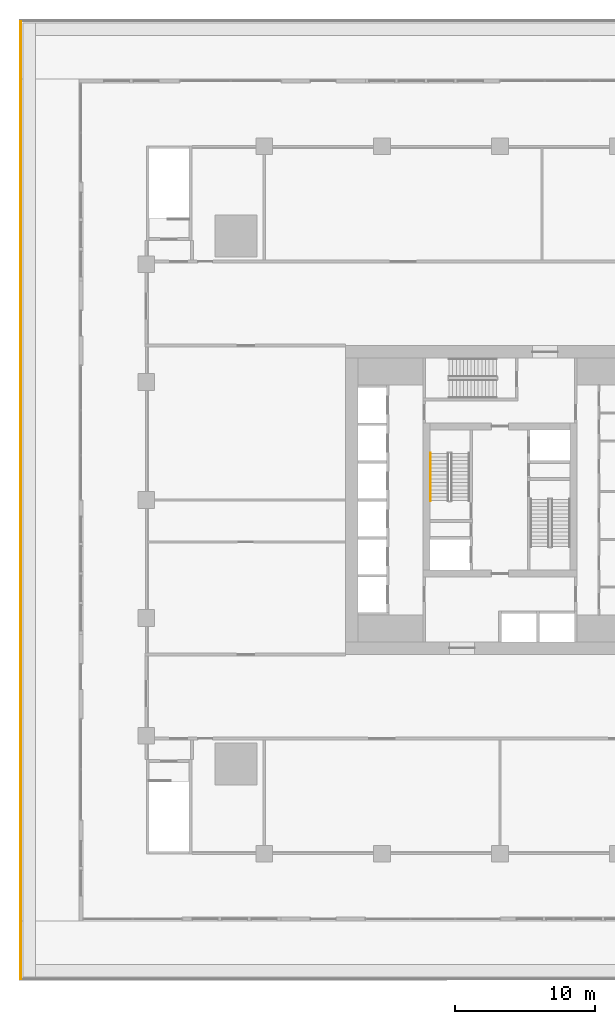
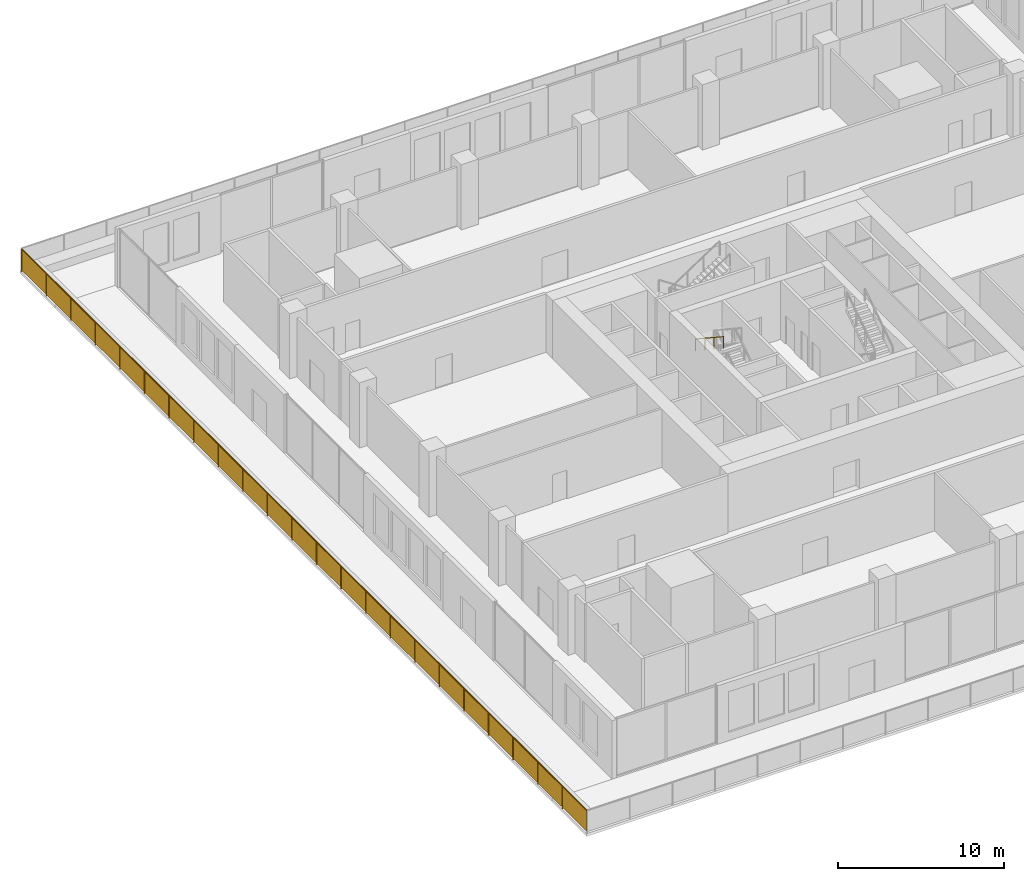
# One storey, part 20 of 22: 2 railings.
"""IFC4 building model written with IfcOpenShell, lengths in metres."""

from ifc_helpers import new_model, si_unit, direction, frame, origin, origin_2d, place, context, subcontext, project, spatial, rectangle, extrude, material, type_object, element, save


model = new_model("IFC4")

# Units and contexts
model_context = context("Model", 3, precision=1e-05, world=origin(), true_north=direction((0.0, 1.0)))
body_context = subcontext(model_context, "Body", "Model", "MODEL_VIEW")
ifc_project = project(units=[si_unit("LENGTHUNIT", "METRE"), si_unit("AREAUNIT", "SQUARE_METRE"), si_unit("VOLUMEUNIT", "CUBIC_METRE"), si_unit("PLANEANGLEUNIT", "RADIAN"), si_unit("MASSUNIT", "GRAM", prefix="KILO")], contexts=[model_context])

# Site, building, storey
site_placement = place(None, origin())
site = spatial("IfcSite", under=ifc_project, at=site_placement, CompositionType="ELEMENT")
building_placement = place(site_placement, origin())
building = spatial("IfcBuilding", under=site, at=building_placement, Name="Khepri Terraces", CompositionType="ELEMENT")
storey_placement = place(building_placement, frame((0.0, 0.0, 22.199951171875)))
storey = spatial("IfcBuildingStorey", under=building, at=storey_placement, Name="L04", CompositionType="ELEMENT", Elevation=22.199951171875)

# Railings
ifc_material_1 = material(Name="Stainless steel grade 316", Category="steel")
railing_type_1 = type_object("IfcRailingType", Name="GRD-TERR-1700", PredefinedType="GUARDRAIL", material=ifc_material_1)
railing_1_placement = place(storey_placement, frame((-34.14990234375, -34.14990234375, 0.0)))
element("IfcRailing", 1, at=railing_1_placement, inside=storey, type_object=railing_type_1, Name="Terrace guard L04", PredefinedType="GUARDRAIL", context=body_context, shape_type="SweptSolid", body=[
    extrude(rectangle(XDim=0.050048828125, YDim=0.06005859375, at=origin_2d()), frame((0.0, 0.0, 1.669921875), z_axis=(0.0, 1.0, 0.0), x_axis=(-1.0, 0.0, 0.0)), (0.0, 0.0, 1.0), 68.219970703125),
    extrude(rectangle(XDim=2.916015625, YDim=0.011962890625, at=origin_2d()), frame((0.0, 1.483154296875, 0.10009765625), z_axis=(0.0, 0.0, 1.0), x_axis=(0.0, 1.0, 0.0)), (0.0, 0.0, 1.0), 1.539794921875),
    extrude(rectangle(XDim=2.916015625, YDim=0.011962890625, at=origin_2d()), frame((0.0, 4.44921875, 0.10009765625), z_axis=(0.0, 0.0, 1.0), x_axis=(0.0, 1.0, 0.0)), (0.0, 0.0, 1.0), 1.539794921875),
    extrude(rectangle(XDim=2.916015625, YDim=0.011962890625, at=origin_2d()), frame((0.0, 7.415283203125, 0.10009765625), z_axis=(0.0, 0.0, 1.0), x_axis=(0.0, 1.0, 0.0)), (0.0, 0.0, 1.0), 1.539794921875),
    extrude(rectangle(XDim=2.916015625, YDim=0.011962890625, at=origin_2d()), frame((0.0, 10.38134765625, 0.10009765625), z_axis=(0.0, 0.0, 1.0), x_axis=(0.0, 1.0, 0.0)), (0.0, 0.0, 1.0), 1.539794921875),
    extrude(rectangle(XDim=2.916015625, YDim=0.011962890625, at=origin_2d()), frame((0.0, 13.347412109375, 0.10009765625), z_axis=(0.0, 0.0, 1.0), x_axis=(0.0, 1.0, 0.0)), (0.0, 0.0, 1.0), 1.539794921875),
    extrude(rectangle(XDim=2.916015625, YDim=0.011962890625, at=origin_2d()), frame((0.0, 16.3134765625, 0.10009765625), z_axis=(0.0, 0.0, 1.0), x_axis=(0.0, 1.0, 0.0)), (0.0, 0.0, 1.0), 1.539794921875),
    extrude(rectangle(XDim=2.916015625, YDim=0.011962890625, at=origin_2d()), frame((0.0, 19.279541015625, 0.10009765625), z_axis=(0.0, 0.0, 1.0), x_axis=(0.0, 1.0, 0.0)), (0.0, 0.0, 1.0), 1.539794921875),
    extrude(rectangle(XDim=2.916015625, YDim=0.011962890625, at=origin_2d()), frame((0.0, 22.24560546875, 0.10009765625), z_axis=(0.0, 0.0, 1.0), x_axis=(0.0, 1.0, 0.0)), (0.0, 0.0, 1.0), 1.539794921875),
    extrude(rectangle(XDim=2.916015625, YDim=0.011962890625, at=origin_2d()), frame((0.0, 25.211669921875, 0.10009765625), z_axis=(0.0, 0.0, 1.0), x_axis=(0.0, 1.0, 0.0)), (0.0, 0.0, 1.0), 1.539794921875),
    extrude(rectangle(XDim=2.916015625, YDim=0.011962890625, at=origin_2d()), frame((0.0, 28.177734375, 0.10009765625), z_axis=(0.0, 0.0, 1.0), x_axis=(0.0, 1.0, 0.0)), (0.0, 0.0, 1.0), 1.539794921875),
    extrude(rectangle(XDim=2.916015625, YDim=0.011962890625, at=origin_2d()), frame((0.0, 31.143798828125, 0.10009765625), z_axis=(0.0, 0.0, 1.0), x_axis=(0.0, 1.0, 0.0)), (0.0, 0.0, 1.0), 1.539794921875),
    extrude(rectangle(XDim=2.916015625, YDim=0.011962890625, at=origin_2d()), frame((0.0, 34.10986328125, 0.10009765625), z_axis=(0.0, 0.0, 1.0), x_axis=(0.0, 1.0, 0.0)), (0.0, 0.0, 1.0), 1.539794921875),
    extrude(rectangle(XDim=2.916015625, YDim=0.011962890625, at=origin_2d()), frame((0.0, 37.076171875, 0.10009765625), z_axis=(0.0, 0.0, 1.0), x_axis=(0.0, 1.0, 0.0)), (0.0, 0.0, 1.0), 1.539794921875),
    extrude(rectangle(XDim=2.916015625, YDim=0.011962890625, at=origin_2d()), frame((0.0, 40.042236328125, 0.10009765625), z_axis=(0.0, 0.0, 1.0), x_axis=(0.0, 1.0, 0.0)), (0.0, 0.0, 1.0), 1.539794921875),
    extrude(rectangle(XDim=2.916015625, YDim=0.011962890625, at=origin_2d()), frame((0.0, 43.00830078125, 0.10009765625), z_axis=(0.0, 0.0, 1.0), x_axis=(0.0, 1.0, 0.0)), (0.0, 0.0, 1.0), 1.539794921875),
    extrude(rectangle(XDim=2.916015625, YDim=0.011962890625, at=origin_2d()), frame((0.0, 45.974365234375, 0.10009765625), z_axis=(0.0, 0.0, 1.0), x_axis=(0.0, 1.0, 0.0)), (0.0, 0.0, 1.0), 1.539794921875),
    extrude(rectangle(XDim=2.916015625, YDim=0.011962890625, at=origin_2d()), frame((0.0, 48.9404296875, 0.10009765625), z_axis=(0.0, 0.0, 1.0), x_axis=(0.0, 1.0, 0.0)), (0.0, 0.0, 1.0), 1.539794921875),
    extrude(rectangle(XDim=2.916015625, YDim=0.011962890625, at=origin_2d()), frame((0.0, 51.906494140625, 0.10009765625), z_axis=(0.0, 0.0, 1.0), x_axis=(0.0, 1.0, 0.0)), (0.0, 0.0, 1.0), 1.539794921875),
    extrude(rectangle(XDim=2.916015625, YDim=0.011962890625, at=origin_2d()), frame((0.0, 54.87255859375, 0.10009765625), z_axis=(0.0, 0.0, 1.0), x_axis=(0.0, 1.0, 0.0)), (0.0, 0.0, 1.0), 1.539794921875),
    extrude(rectangle(XDim=2.916015625, YDim=0.011962890625, at=origin_2d()), frame((0.0, 57.838623046875, 0.10009765625), z_axis=(0.0, 0.0, 1.0), x_axis=(0.0, 1.0, 0.0)), (0.0, 0.0, 1.0), 1.539794921875),
    extrude(rectangle(XDim=2.916015625, YDim=0.011962890625, at=origin_2d()), frame((0.0, 60.8046875, 0.10009765625), z_axis=(0.0, 0.0, 1.0), x_axis=(0.0, 1.0, 0.0)), (0.0, 0.0, 1.0), 1.539794921875),
    extrude(rectangle(XDim=2.916015625, YDim=0.011962890625, at=origin_2d()), frame((0.0, 63.770751953125, 0.10009765625), z_axis=(0.0, 0.0, 1.0), x_axis=(0.0, 1.0, 0.0)), (0.0, 0.0, 1.0), 1.539794921875),
    extrude(rectangle(XDim=2.916015625, YDim=0.011962890625, at=origin_2d()), frame((0.0, 66.73681640625, 0.10009765625), z_axis=(0.0, 0.0, 1.0), x_axis=(0.0, 1.0, 0.0)), (0.0, 0.0, 1.0), 1.539794921875),
    extrude(rectangle(XDim=0.050048828125, YDim=0.050048828125, at=origin_2d()), frame((0.0, 2.966064453125, 0.0)), (0.0, 0.0, 1.0), 1.639892578125),
    extrude(rectangle(XDim=0.050048828125, YDim=0.050048828125, at=origin_2d()), frame((0.0, 5.93212890625, 0.0)), (0.0, 0.0, 1.0), 1.639892578125),
    extrude(rectangle(XDim=0.050048828125, YDim=0.050048828125, at=origin_2d()), frame((0.0, 8.898193359375, 0.0)), (0.0, 0.0, 1.0), 1.639892578125),
    extrude(rectangle(XDim=0.050048828125, YDim=0.050048828125, at=origin_2d()), frame((0.0, 11.8642578125, 0.0)), (0.0, 0.0, 1.0), 1.639892578125),
    extrude(rectangle(XDim=0.050048828125, YDim=0.050048828125, at=origin_2d()), frame((0.0, 14.830322265625, 0.0)), (0.0, 0.0, 1.0), 1.639892578125),
    extrude(rectangle(XDim=0.050048828125, YDim=0.050048828125, at=origin_2d()), frame((0.0, 17.796630859375, 0.0)), (0.0, 0.0, 1.0), 1.639892578125),
    extrude(rectangle(XDim=0.050048828125, YDim=0.050048828125, at=origin_2d()), frame((0.0, 20.7626953125, 0.0)), (0.0, 0.0, 1.0), 1.639892578125),
    extrude(rectangle(XDim=0.050048828125, YDim=0.050048828125, at=origin_2d()), frame((0.0, 23.728759765625, 0.0)), (0.0, 0.0, 1.0), 1.639892578125),
    extrude(rectangle(XDim=0.050048828125, YDim=0.050048828125, at=origin_2d()), frame((0.0, 26.69482421875, 0.0)), (0.0, 0.0, 1.0), 1.639892578125),
    extrude(rectangle(XDim=0.050048828125, YDim=0.050048828125, at=origin_2d()), frame((0.0, 29.660888671875, 0.0)), (0.0, 0.0, 1.0), 1.639892578125),
    extrude(rectangle(XDim=0.050048828125, YDim=0.050048828125, at=origin_2d()), frame((0.0, 32.626953125, 0.0)), (0.0, 0.0, 1.0), 1.639892578125),
    extrude(rectangle(XDim=0.050048828125, YDim=0.050048828125, at=origin_2d()), frame((0.0, 35.593017578125, 0.0)), (0.0, 0.0, 1.0), 1.639892578125),
    extrude(rectangle(XDim=0.050048828125, YDim=0.050048828125, at=origin_2d()), frame((0.0, 38.55908203125, 0.0)), (0.0, 0.0, 1.0), 1.639892578125),
    extrude(rectangle(XDim=0.050048828125, YDim=0.050048828125, at=origin_2d()), frame((0.0, 41.525146484375, 0.0)), (0.0, 0.0, 1.0), 1.639892578125),
    extrude(rectangle(XDim=0.050048828125, YDim=0.050048828125, at=origin_2d()), frame((0.0, 44.4912109375, 0.0)), (0.0, 0.0, 1.0), 1.639892578125),
    extrude(rectangle(XDim=0.050048828125, YDim=0.050048828125, at=origin_2d()), frame((0.0, 47.457275390625, 0.0)), (0.0, 0.0, 1.0), 1.639892578125),
    extrude(rectangle(XDim=0.050048828125, YDim=0.050048828125, at=origin_2d()), frame((0.0, 50.42333984375, 0.0)), (0.0, 0.0, 1.0), 1.639892578125),
    extrude(rectangle(XDim=0.050048828125, YDim=0.050048828125, at=origin_2d()), frame((0.0, 53.3896484375, 0.0)), (0.0, 0.0, 1.0), 1.639892578125),
    extrude(rectangle(XDim=0.050048828125, YDim=0.050048828125, at=origin_2d()), frame((0.0, 56.355712890625, 0.0)), (0.0, 0.0, 1.0), 1.639892578125),
    extrude(rectangle(XDim=0.050048828125, YDim=0.050048828125, at=origin_2d()), frame((0.0, 59.32177734375, 0.0)), (0.0, 0.0, 1.0), 1.639892578125),
    extrude(rectangle(XDim=0.050048828125, YDim=0.050048828125, at=origin_2d()), frame((0.0, 62.287841796875, 0.0)), (0.0, 0.0, 1.0), 1.639892578125),
    extrude(rectangle(XDim=0.050048828125, YDim=0.050048828125, at=origin_2d()), frame((0.0, 65.25390625, 0.0)), (0.0, 0.0, 1.0), 1.639892578125),
    extrude(rectangle(XDim=0.050048828125, YDim=0.050048828125, at=origin_2d()), frame((0.0, 68.219970703125, 0.0)), (0.0, 0.0, 1.0), 1.639892578125),
])
ifc_material_2 = material(Name="Stainless steel 316", Category="steel")
railing_type_2 = type_object("IfcRailingType", Name="RL-CORE-HANDRAIL", PredefinedType="HANDRAIL", material=ifc_material_2)
railing_2_placement = place(storey_placement, frame((-4.949951171875, 3.330078125, 2.571533203125)))
element("IfcRailing", 2, at=railing_2_placement, inside=storey, type_object=railing_type_2, Name="L04 ST-1 stair handrail 2", PredefinedType="HANDRAIL", context=body_context, shape_type="SweptSolid", body=[
    extrude(rectangle(XDim=0.050048828125, YDim=0.050048828125, at=origin_2d()), frame((0.0, 0.0, 0.875), z_axis=(0.0, -0.834878220475, 0.550434698194), x_axis=(1.0, 0.0, 0.0)), (0.0, 0.0, 1.0), 4.048583984375),
    extrude(rectangle(XDim=0.050048828125, YDim=0.050048828125, at=origin_2d()), origin(), (0.0, 0.0, 1.0), 0.849853515625),
    extrude(rectangle(XDim=0.050048828125, YDim=0.050048828125, at=origin_2d()), frame((0.0, -1.126708984375, 0.742919921875)), (0.0, 0.0, 1.0), 0.849853515625),
    extrude(rectangle(XDim=0.050048828125, YDim=0.050048828125, at=origin_2d()), frame((0.0, -2.25341796875, 1.485595703125)), (0.0, 0.0, 1.0), 0.849853515625),
    extrude(rectangle(XDim=0.050048828125, YDim=0.050048828125, at=origin_2d()), frame((0.0, -3.380126953125, 2.228515625)), (0.0, 0.0, 1.0), 0.849853515625),
])

save(model, "model.ifc")
